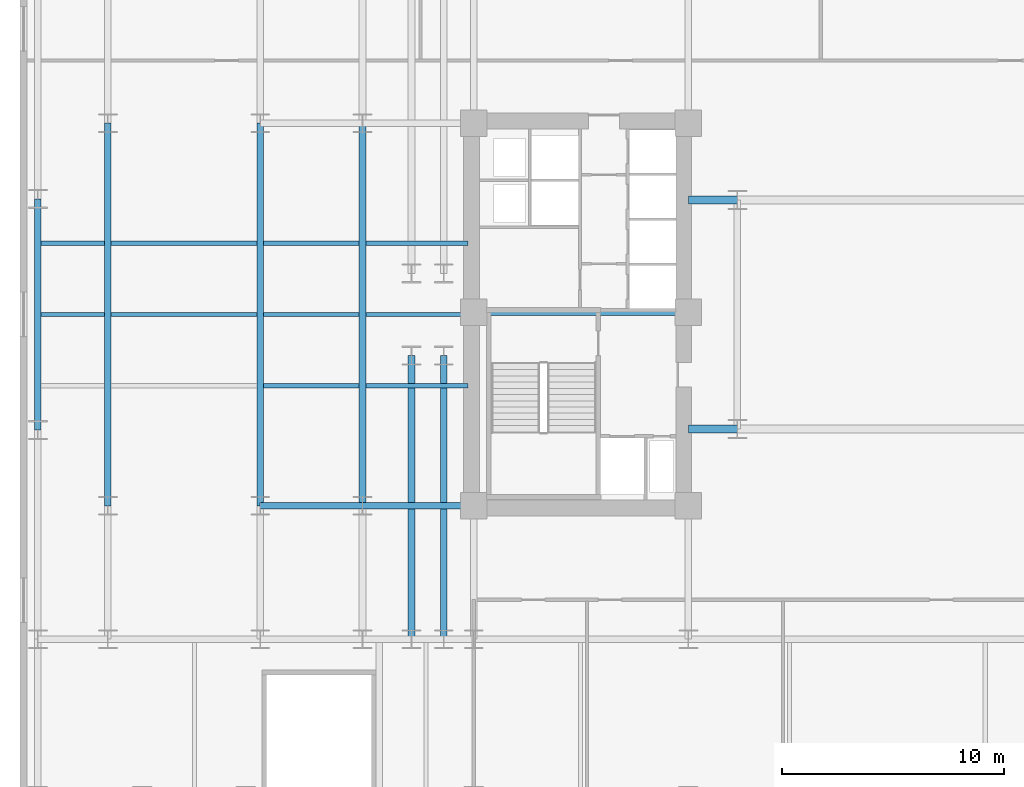
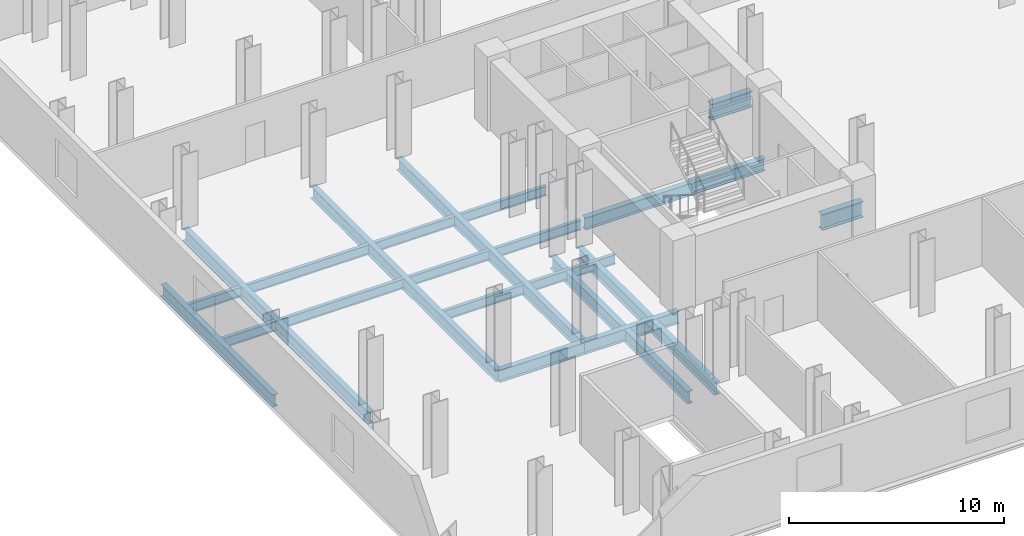
# One storey, part 2 of 13: 21 beams.
"""IFC4 building model written with IfcOpenShell, lengths in metres."""

from ifc_helpers import new_model, si_unit, direction, frame, origin, origin_2d, place, context, subcontext, project, spatial, i_section, extrude, material, material_profile, profile_set, type_object, element, save


model = new_model("IFC4")

# Units and contexts
model_context = context("Model", 3, precision=1e-05, world=origin(), true_north=direction((0.0, 1.0)))
body_context = subcontext(model_context, "Body", "Model", "MODEL_VIEW")
ifc_project = project(units=[si_unit("LENGTHUNIT", "METRE"), si_unit("AREAUNIT", "SQUARE_METRE"), si_unit("VOLUMEUNIT", "CUBIC_METRE"), si_unit("PLANEANGLEUNIT", "RADIAN"), si_unit("MASSUNIT", "GRAM", prefix="KILO")], contexts=[model_context])

# Site, building, storey
site_placement = place(None, origin())
site = spatial("IfcSite", under=ifc_project, at=site_placement, CompositionType="ELEMENT")
building_placement = place(site_placement, origin())
building = spatial("IfcBuilding", under=site, at=building_placement, Name="Velakula Bourse", CompositionType="ELEMENT")
storey_placement = place(building_placement, frame((0.0, 0.0, 22.800048828125)))
storey = spatial("IfcBuildingStorey", under=building, at=storey_placement, Name="L05", CompositionType="ELEMENT", Elevation=22.800048828125)

# Beams
ifc_material = material(Name="Steel IS 2062 Grade 350 (E350)", Category="steel")
ifc_material_profile_1 = material_profile(ifc_material, i_section(OverallWidth=0.35009765625, OverallDepth=0.89990234375, WebThickness=0.02001953125, FlangeThickness=0.031982421875, at=origin_2d()), Name="Steel IS 2062 Grade 350 (E350)")
ifc_profile_set_1 = profile_set([ifc_material_profile_1], Name="Steel IS 2062 Grade 350 (E350)")
beam_type_1 = type_object("IfcBeamType", Name="BM-LNK-900", PredefinedType="BEAM", material=ifc_profile_set_1)
for number, where, z_axis, x_axis, name in (
    (1, (-8.949951171875, -5.14990234375, -0.699951171875), (1.0, 0.0, 0.0), (0.0, 1.0, 0.0), "L05 Primary Backbone Girder LNK-S1"),
    (2, (-8.949951171875, 5.14990234375, -0.699951171875), (1.0, 0.0, 0.0), (0.0, 1.0, 0.0), "L05 Primary Backbone Girder LNK-N1"),
):
    element("IfcBeam", number, at=place(storey_placement, frame(where, z_axis=z_axis, x_axis=x_axis)), inside=storey, type_object=beam_type_1, Name=name, PredefinedType="BEAM", context=body_context, shape_type="SweptSolid", body=[
        extrude(i_section(OverallWidth=0.35009765625, OverallDepth=0.89990234375, WebThickness=0.02001953125, FlangeThickness=0.031982421875, at=origin_2d()), origin(), (0.0, 0.0, 1.0), 2.199951171875),
    ])
ifc_material_profile_2 = material_profile(ifc_material, i_section(OverallWidth=0.300048828125, OverallDepth=0.699951171875, WebThickness=0.01611328125, FlangeThickness=0.02490234375, at=origin_2d()), Name="Steel IS 2062 Grade 350 (E350)")
ifc_profile_set_2 = profile_set([ifc_material_profile_2], Name="Steel IS 2062 Grade 350 (E350)")
beam_type_2 = type_object("IfcBeamType", Name="BM-POD-700", PredefinedType="BEAM", material=ifc_profile_set_2)
beam_1_placement = place(storey_placement, frame((-18.60009765625, 0.10009765625, -0.60009765625), z_axis=(1.0, 0.0, 0.0), x_axis=(0.0, 1.0, 0.0)))
element("IfcBeam", 3, at=beam_1_placement, inside=storey, type_object=beam_type_2, Name="L05 Primary Backbone Girder CRW-M", PredefinedType="BEAM", context=body_context, shape_type="SweptSolid", body=[
    extrude(i_section(OverallWidth=0.300048828125, OverallDepth=0.699951171875, WebThickness=0.01611328125, FlangeThickness=0.02490234375, at=origin_2d()), origin(), (0.0, 0.0, 1.0), 9.650146484375),
])
for number, where, z_axis, x_axis, name in (
    (4, (-21.39990234375, -14.60009765625, -0.60009765625), (0.0, 1.0, 0.0), (-1.0, 0.0, 0.0), "L05 Fulcrum Grid Girder FLC-PSW1"),
    (5, (-19.949951171875, -14.60009765625, -0.60009765625), (0.0, 1.0, 0.0), (-1.0, 0.0, 0.0), "L05 Fulcrum Grid Girder FLC-PSW2"),
):
    element("IfcBeam", number, at=place(storey_placement, frame(where, z_axis=z_axis, x_axis=x_axis)), inside=storey, type_object=beam_type_2, Name=name, PredefinedType="BEAM", context=body_context, shape_type="SweptSolid", body=[
        extrude(i_section(OverallWidth=0.300048828125, OverallDepth=0.699951171875, WebThickness=0.01611328125, FlangeThickness=0.02490234375, at=origin_2d()), origin(), (0.0, 0.0, 1.0), 12.75),
    ])
beam_2_placement = place(storey_placement, frame((-23.60009765625, -8.60009765625, -0.60009765625), z_axis=(1.0, 0.0, 0.0), x_axis=(0.0, 1.0, 0.0)))
element("IfcBeam", 6, at=beam_2_placement, inside=storey, type_object=beam_type_2, Name="L05 Fulcrum Grid Girder MWG-WS2", PredefinedType="BEAM", context=body_context, shape_type="SweptSolid", body=[
    extrude(i_section(OverallWidth=0.300048828125, OverallDepth=0.699951171875, WebThickness=0.01611328125, FlangeThickness=0.02490234375, at=origin_2d()), origin(), (0.0, 0.0, 1.0), 5.0),
])
beam_3_placement = place(storey_placement, frame((-23.60009765625, -8.60009765625, -0.60009765625), z_axis=(0.0, 1.0, 0.0), x_axis=(-1.0, 0.0, 0.0)))
element("IfcBeam", 7, at=beam_3_placement, inside=storey, type_object=beam_type_2, Name="L05 Fulcrum Grid Girder MWG-WNS2", PredefinedType="BEAM", context=body_context, shape_type="SweptSolid", body=[
    extrude(i_section(OverallWidth=0.300048828125, OverallDepth=0.699951171875, WebThickness=0.01611328125, FlangeThickness=0.02490234375, at=origin_2d()), origin(), (0.0, 0.0, 1.0), 17.2001953125),
])
beam_4_placement = place(storey_placement, frame((-28.199951171875, -8.60009765625, -0.60009765625), z_axis=(1.0, 0.0, 0.0), x_axis=(0.0, 1.0, 0.0)))
element("IfcBeam", 8, at=beam_4_placement, inside=storey, type_object=beam_type_2, Name="L05 Fulcrum Grid Girder WNG-WS2", PredefinedType="BEAM", context=body_context, shape_type="SweptSolid", body=[
    extrude(i_section(OverallWidth=0.300048828125, OverallDepth=0.699951171875, WebThickness=0.01611328125, FlangeThickness=0.02490234375, at=origin_2d()), origin(), (0.0, 0.0, 1.0), 4.599853515625),
])
beam_5_placement = place(storey_placement, frame((-28.199951171875, -8.60009765625, -0.60009765625), z_axis=(0.0, 1.0, 0.0), x_axis=(-1.0, 0.0, 0.0)))
element("IfcBeam", 9, at=beam_5_placement, inside=storey, type_object=beam_type_2, Name="L05 Fulcrum Grid Girder WNG-WNS2", PredefinedType="BEAM", context=body_context, shape_type="SweptSolid", body=[
    extrude(i_section(OverallWidth=0.300048828125, OverallDepth=0.699951171875, WebThickness=0.01611328125, FlangeThickness=0.02490234375, at=origin_2d()), origin(), (0.0, 0.0, 1.0), 17.2001953125),
])
beam_6_placement = place(storey_placement, frame((-38.199951171875, -5.199951171875, -0.60009765625), z_axis=(0.0, 1.0, 0.0), x_axis=(-1.0, 0.0, 0.0)))
element("IfcBeam", 10, at=beam_6_placement, inside=storey, type_object=beam_type_2, Name="L05 Podium N-S Girder 68", PredefinedType="BEAM", context=body_context, shape_type="SweptSolid", body=[
    extrude(i_section(OverallWidth=0.300048828125, OverallDepth=0.699951171875, WebThickness=0.01611328125, FlangeThickness=0.02490234375, at=origin_2d()), origin(), (0.0, 0.0, 1.0), 10.39990234375),
])
beam_7_placement = place(storey_placement, frame((-35.050048828125, -8.60009765625, -0.60009765625), z_axis=(0.0, 1.0, 0.0), x_axis=(-1.0, 0.0, 0.0)))
element("IfcBeam", 11, at=beam_7_placement, inside=storey, type_object=beam_type_2, Name="L05 Podium N-S Girder 73", PredefinedType="BEAM", context=body_context, shape_type="SweptSolid", body=[
    extrude(i_section(OverallWidth=0.300048828125, OverallDepth=0.699951171875, WebThickness=0.01611328125, FlangeThickness=0.02490234375, at=origin_2d()), origin(), (0.0, 0.0, 1.0), 17.2001953125),
])
ifc_material_profile_3 = material_profile(ifc_material, i_section(OverallWidth=0.18994140625, OverallDepth=0.550048828125, WebThickness=0.01123046875, FlangeThickness=0.019287109375, at=origin_2d()), Name="Steel IS 2062 Grade 350 (E350)")
ifc_profile_set_3 = profile_set([ifc_material_profile_3], Name="Steel IS 2062 Grade 350 (E350)")
beam_type_3 = type_object("IfcBeamType", Name="JST-POD-550", PredefinedType="JOIST", material=ifc_profile_set_3)
beam_8_placement = place(storey_placement, frame((-28.050048828125, -3.199951171875, -0.525146484375), z_axis=(1.0, 0.0, 0.0), x_axis=(0.0, 1.0, 0.0)))
element("IfcBeam", 12, at=beam_8_placement, inside=storey, type_object=beam_type_3, Name="L05 Station Wing Floor Joist 35", PredefinedType="JOIST", context=body_context, shape_type="SweptSolid", body=[
    extrude(i_section(OverallWidth=0.18994140625, OverallDepth=0.550048828125, WebThickness=0.01123046875, FlangeThickness=0.019287109375, at=origin_2d()), origin(), (0.0, 0.0, 1.0), 4.300048828125),
])
beam_9_placement = place(storey_placement, frame((-23.449951171875, -3.199951171875, -0.525146484375), z_axis=(1.0, 0.0, 0.0), x_axis=(0.0, 1.0, 0.0)))
element("IfcBeam", 13, at=beam_9_placement, inside=storey, type_object=beam_type_3, Name="L05 Station Wing Floor Joist 36", PredefinedType="JOIST", context=body_context, shape_type="SweptSolid", body=[
    extrude(i_section(OverallWidth=0.18994140625, OverallDepth=0.550048828125, WebThickness=0.01123046875, FlangeThickness=0.019287109375, at=origin_2d()), origin(), (0.0, 0.0, 1.0), 4.599853515625),
])
beam_10_placement = place(storey_placement, frame((-38.050048828125, 0.0, -0.525146484375), z_axis=(1.0, 0.0, 0.0), x_axis=(0.0, 1.0, 0.0)))
element("IfcBeam", 14, at=beam_10_placement, inside=storey, type_object=beam_type_3, Name="L05 Station Wing Floor Joist 41", PredefinedType="JOIST", context=body_context, shape_type="SweptSolid", body=[
    extrude(i_section(OverallWidth=0.18994140625, OverallDepth=0.550048828125, WebThickness=0.01123046875, FlangeThickness=0.019287109375, at=origin_2d()), origin(), (0.0, 0.0, 1.0), 2.85009765625),
])
beam_11_placement = place(storey_placement, frame((-34.89990234375, 0.0, -0.525146484375), z_axis=(1.0, 0.0, 0.0), x_axis=(0.0, 1.0, 0.0)))
element("IfcBeam", 15, at=beam_11_placement, inside=storey, type_object=beam_type_3, Name="L05 Station Wing Floor Joist 42", PredefinedType="JOIST", context=body_context, shape_type="SweptSolid", body=[
    extrude(i_section(OverallWidth=0.18994140625, OverallDepth=0.550048828125, WebThickness=0.01123046875, FlangeThickness=0.019287109375, at=origin_2d()), origin(), (0.0, 0.0, 1.0), 6.5498046875),
])
beam_12_placement = place(storey_placement, frame((-28.050048828125, 0.0, -0.525146484375), z_axis=(1.0, 0.0, 0.0), x_axis=(0.0, 1.0, 0.0)))
element("IfcBeam", 16, at=beam_12_placement, inside=storey, type_object=beam_type_3, Name="L05 Station Wing Floor Joist 43", PredefinedType="JOIST", context=body_context, shape_type="SweptSolid", body=[
    extrude(i_section(OverallWidth=0.18994140625, OverallDepth=0.550048828125, WebThickness=0.01123046875, FlangeThickness=0.019287109375, at=origin_2d()), origin(), (0.0, 0.0, 1.0), 4.300048828125),
])
beam_13_placement = place(storey_placement, frame((-23.449951171875, 0.0, -0.525146484375), z_axis=(1.0, 0.0, 0.0), x_axis=(0.0, 1.0, 0.0)))
element("IfcBeam", 17, at=beam_13_placement, inside=storey, type_object=beam_type_3, Name="L05 Station Wing Floor Joist 44", PredefinedType="JOIST", context=body_context, shape_type="SweptSolid", body=[
    extrude(i_section(OverallWidth=0.18994140625, OverallDepth=0.550048828125, WebThickness=0.01123046875, FlangeThickness=0.019287109375, at=origin_2d()), origin(), (0.0, 0.0, 1.0), 4.599853515625),
])
beam_14_placement = place(storey_placement, frame((-38.050048828125, 3.199951171875, -0.525146484375), z_axis=(1.0, 0.0, 0.0), x_axis=(0.0, 1.0, 0.0)))
element("IfcBeam", 18, at=beam_14_placement, inside=storey, type_object=beam_type_3, Name="L05 Station Wing Floor Joist 49", PredefinedType="JOIST", context=body_context, shape_type="SweptSolid", body=[
    extrude(i_section(OverallWidth=0.18994140625, OverallDepth=0.550048828125, WebThickness=0.01123046875, FlangeThickness=0.019287109375, at=origin_2d()), origin(), (0.0, 0.0, 1.0), 2.85009765625),
])
beam_15_placement = place(storey_placement, frame((-34.89990234375, 3.199951171875, -0.525146484375), z_axis=(1.0, 0.0, 0.0), x_axis=(0.0, 1.0, 0.0)))
element("IfcBeam", 19, at=beam_15_placement, inside=storey, type_object=beam_type_3, Name="L05 Station Wing Floor Joist 50", PredefinedType="JOIST", context=body_context, shape_type="SweptSolid", body=[
    extrude(i_section(OverallWidth=0.18994140625, OverallDepth=0.550048828125, WebThickness=0.01123046875, FlangeThickness=0.019287109375, at=origin_2d()), origin(), (0.0, 0.0, 1.0), 6.5498046875),
])
beam_16_placement = place(storey_placement, frame((-28.050048828125, 3.199951171875, -0.525146484375), z_axis=(1.0, 0.0, 0.0), x_axis=(0.0, 1.0, 0.0)))
element("IfcBeam", 20, at=beam_16_placement, inside=storey, type_object=beam_type_3, Name="L05 Station Wing Floor Joist 51", PredefinedType="JOIST", context=body_context, shape_type="SweptSolid", body=[
    extrude(i_section(OverallWidth=0.18994140625, OverallDepth=0.550048828125, WebThickness=0.01123046875, FlangeThickness=0.019287109375, at=origin_2d()), origin(), (0.0, 0.0, 1.0), 4.300048828125),
])
beam_17_placement = place(storey_placement, frame((-23.449951171875, 3.199951171875, -0.525146484375), z_axis=(1.0, 0.0, 0.0), x_axis=(0.0, 1.0, 0.0)))
element("IfcBeam", 21, at=beam_17_placement, inside=storey, type_object=beam_type_3, Name="L05 Station Wing Floor Joist 52", PredefinedType="JOIST", context=body_context, shape_type="SweptSolid", body=[
    extrude(i_section(OverallWidth=0.18994140625, OverallDepth=0.550048828125, WebThickness=0.01123046875, FlangeThickness=0.019287109375, at=origin_2d()), origin(), (0.0, 0.0, 1.0), 4.599853515625),
])

save(model, "model.ifc")
